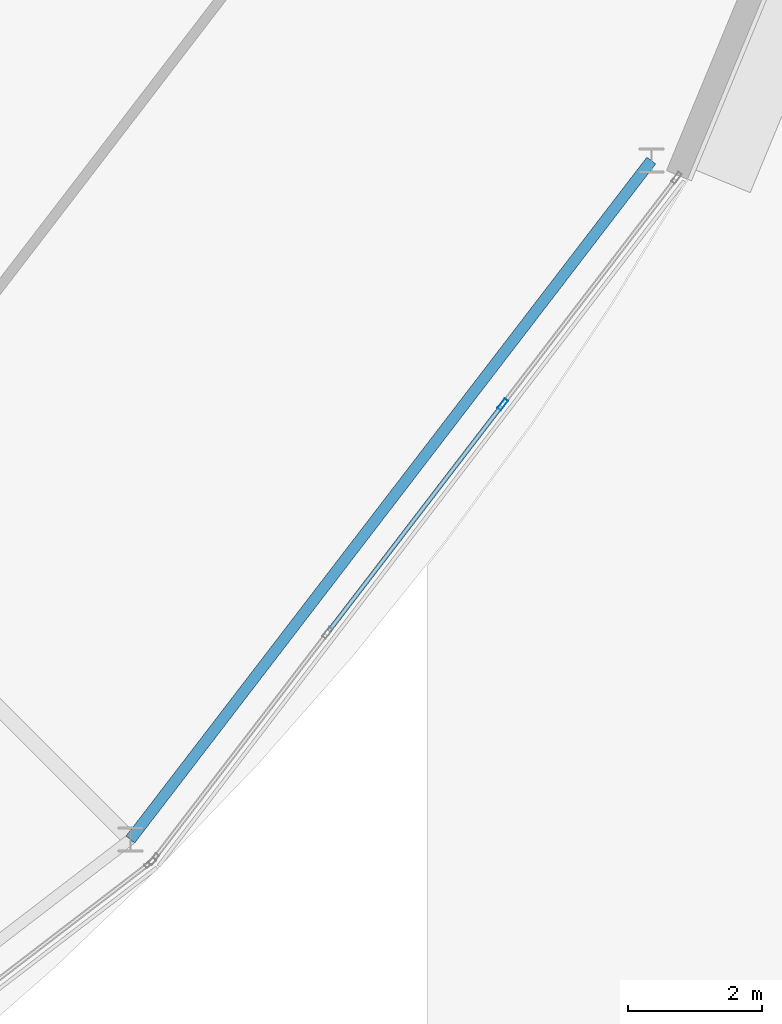
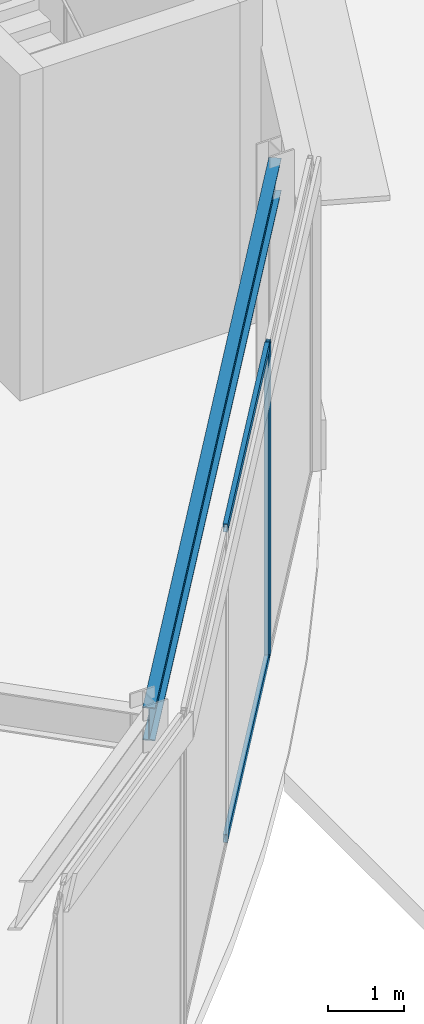
# One storey, part 51 of 168: 3 members, 1 beam, 1 element without a shape of its own.
"""IFC4 building model written with IfcOpenShell, lengths in metres."""

from ifc_helpers import new_model, si_unit, direction, frame, origin, origin_2d, place, context, subcontext, project, spatial, hollow_rectangle, i_section, extrude, material, material_profile, profile_set, type_object, element, aggregate, save


model = new_model("IFC4")

# Units and contexts
model_context = context("Model", 3, precision=1e-05, world=origin(), true_north=direction((0.0, 1.0)))
body_context = subcontext(model_context, "Body", "Model", "MODEL_VIEW")
ifc_project = project(units=[si_unit("LENGTHUNIT", "METRE"), si_unit("AREAUNIT", "SQUARE_METRE"), si_unit("VOLUMEUNIT", "CUBIC_METRE"), si_unit("PLANEANGLEUNIT", "RADIAN"), si_unit("MASSUNIT", "GRAM", prefix="KILO")], contexts=[model_context])

# Site, building, storey
site_placement = place(None, origin())
site = spatial("IfcSite", under=ifc_project, at=site_placement, CompositionType="ELEMENT")
building_placement = place(site_placement, origin())
building = spatial("IfcBuilding", under=site, at=building_placement, Name="Almandine Court Research Institute", CompositionType="ELEMENT")
storey_placement = place(building_placement, origin())
storey = spatial("IfcBuildingStorey", under=building, at=storey_placement, Name="L00", CompositionType="ELEMENT", Elevation=0.0)

# Beam
ifc_material_1 = material(Name="Steel ASTM A992 Grade 50", Category="steel")
ifc_material_profile_1 = material_profile(ifc_material_1, i_section(OverallWidth=0.166015625, OverallDepth=0.534912109375, WebThickness=0.010009765625, FlangeThickness=0.01708984375, at=origin_2d()), Name="W530x85")
ifc_profile_set_1 = profile_set([ifc_material_profile_1], Name="Steel ASTM A992 Grade 50")
beam_type = type_object("IfcBeamType", Name="Beam-G-05-E", PredefinedType="SPANDREL", material=ifc_profile_set_1)
beam_placement = place(storey_placement, frame((121.577880859375, 21.422119140625, 4.802978515625), z_axis=(0.608751886289, 0.793360662587, 0.0), x_axis=(-0.793360662587, 0.608751886289, 0.0)))
element("IfcBeam", 1, at=beam_placement, inside=storey, type_object=beam_type, Name="L00 Drum OUT Ring Beam 21", PredefinedType="SPANDREL", context=body_context, shape_type="SweptSolid", body=[
    extrude(i_section(OverallWidth=0.166015625, OverallDepth=0.534912109375, WebThickness=0.010009765625, FlangeThickness=0.01708984375, at=origin_2d()), origin(), (0.0, 0.0, 1.0), 12.765869140625),
])

# Curtain wall, members
ifc_material_2 = material(Name="Unitised Curtain Wall Framing and Solar Glazing", Category="glass")
curtain_wall_type = type_object("IfcCurtainWallType", Name="CW-CWJ-17", PredefinedType="USERDEFINED", material=ifc_material_2)
curtain_wall_placement = place(storey_placement, origin())
curtain_wall = element("IfcCurtainWall", 2, at=curtain_wall_placement, inside=storey, type_object=curtain_wall_type, Name="L00 Stacked-Ring Drum Outer Solar Jali Screen 21", ObjectType="SOLAR JALI SCREEN", PredefinedType="USERDEFINED")
ifc_material_3 = material(Name="Anodised Aluminium AW-6063-T6", Category="aluminium")
ifc_material_profile_2 = material_profile(ifc_material_3, hollow_rectangle(XDim=0.06494140625, YDim=0.179931640625, WallThickness=0.00390625, at=origin_2d()), Name="ALU RHS 65x180x4")
ifc_profile_set_2 = profile_set([ifc_material_profile_2], Name="Anodised Aluminium AW-6063-T6")
member_type_1 = type_object("IfcMemberType", Name="CWMul-65x180", PredefinedType="MULLION", material=ifc_profile_set_2)
member_1_placement = place(storey_placement, frame((127.132080078125, 27.911376953125, 0.0), z_axis=(0.0, 0.0, 1.0), x_axis=(0.793382586046, -0.608723313303, 0.0)))
member_1 = element("IfcMember", 3, at=member_1_placement, type_object=member_type_1, Name="CWJ-17 mullion 2", PredefinedType="MULLION", context=body_context, shape_type="SweptSolid", body=[
    extrude(hollow_rectangle(XDim=0.06494140625, YDim=0.179931640625, WallThickness=0.00390625, at=origin_2d()), origin(), (0.0, 0.0, 1.0), 5.070068359375),
])
ifc_material_profile_3 = material_profile(ifc_material_3, hollow_rectangle(XDim=0.06494140625, YDim=0.1298828125, WallThickness=0.00390625, at=origin_2d()), Name="ALU RHS 65x130x4")
ifc_profile_set_3 = profile_set([ifc_material_profile_3], Name="Anodised Aluminium AW-6063-T6")
member_type_2 = type_object("IfcMemberType", Name="CWTrn-65x130", PredefinedType="NOTDEFINED", material=ifc_profile_set_3)
member_2_placement = place(storey_placement, frame((127.1123046875, 27.885498046875, 0.032470703125), z_axis=(-0.608741867566, -0.793368349931, 0.0), x_axis=(0.793368349931, -0.608741867566, 0.0)))
member_2 = element("IfcMember", 4, at=member_2_placement, type_object=member_type_2, Name="CWJ-17 transom 2.1", ObjectType="TRANSOM", PredefinedType="USERDEFINED", context=body_context, shape_type="SweptSolid", body=[
    extrude(hollow_rectangle(XDim=0.06494140625, YDim=0.1298828125, WallThickness=0.00390625, at=origin_2d()), origin(), (0.0, 0.0, 1.0), 4.2275390625),
])
member_3_placement = place(storey_placement, frame((127.1123046875, 27.885498046875, 5.03759765625), z_axis=(-0.608741867566, -0.793368349931, 0.0), x_axis=(0.793368349931, -0.608741867566, 0.0)))
member_3 = element("IfcMember", 5, at=member_3_placement, type_object=member_type_2, Name="CWJ-17 transom 2.2", ObjectType="TRANSOM", PredefinedType="USERDEFINED", context=body_context, shape_type="SweptSolid", body=[
    extrude(hollow_rectangle(XDim=0.06494140625, YDim=0.1298828125, WallThickness=0.00390625, at=origin_2d()), origin(), (0.0, 0.0, 1.0), 4.2275390625),
])
aggregate(curtain_wall, [member_1, member_2, member_3])

save(model, "model.ifc")
